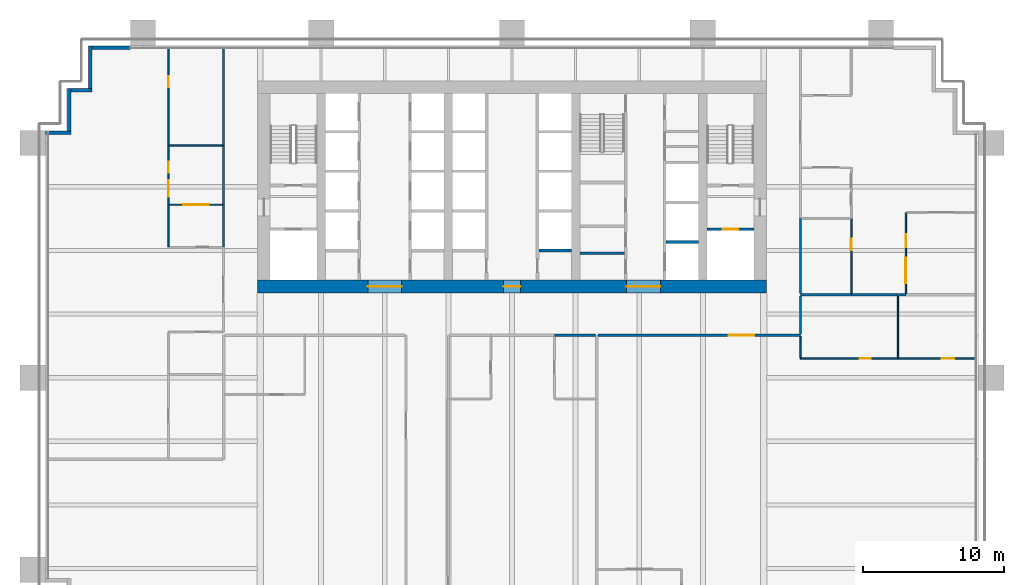
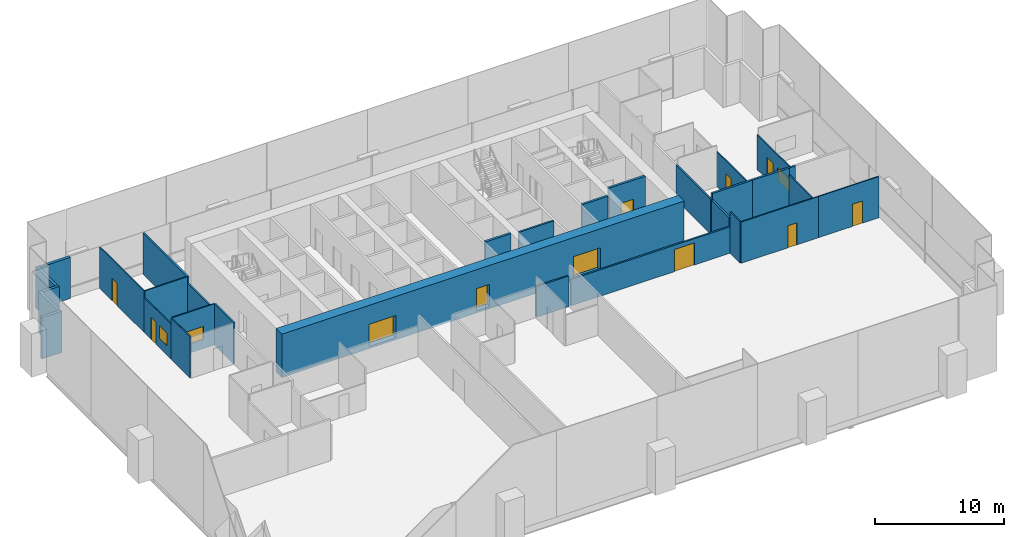
# One storey, part 12 of 17: 31 walls, 11 doors, 3 windows, 14 openings.
"""IFC4 building model written with IfcOpenShell, lengths in metres."""

from ifc_helpers import new_model, si_unit, direction, frame, frame_2d, origin, place, context, subcontext, project, spatial, rectangle, extrude, material, layer, layer_set, type_object, element, fill, save


model = new_model("IFC4")

# Units and contexts
model_context = context("Model", 3, precision=1e-05, world=origin(), true_north=direction((0.0, 1.0)))
body_context = subcontext(model_context, "Body", "Model", "MODEL_VIEW")
ifc_project = project(units=[si_unit("LENGTHUNIT", "METRE"), si_unit("AREAUNIT", "SQUARE_METRE"), si_unit("VOLUMEUNIT", "CUBIC_METRE"), si_unit("PLANEANGLEUNIT", "RADIAN"), si_unit("MASSUNIT", "GRAM", prefix="KILO")], contexts=[model_context])

# Site, building, storey
site_placement = place(None, origin())
site = spatial("IfcSite", under=ifc_project, at=site_placement, CompositionType="ELEMENT")
building_placement = place(site_placement, origin())
building = spatial("IfcBuilding", under=site, at=building_placement, Name="Rattan Terrace Tower", CompositionType="ELEMENT")
storey_placement = place(building_placement, frame((0.0, 0.0, 44.699951171875)))
storey = spatial("IfcBuildingStorey", under=building, at=storey_placement, Name="L09", CompositionType="ELEMENT", Elevation=44.699951171875)

# Wall
ifc_material_1 = material(Name="Gypsum board partition")
ifc_layer_1 = layer(ifc_material_1, 0.14990234375)
ifc_layer_set_1 = layer_set([ifc_layer_1], Name="Core partition 150")
wall_type_1 = type_object("IfcWallType", Name="Core partition 150", PredefinedType="PARTITIONING", material=ifc_layer_set_1)
wall_1_placement = place(storey_placement, frame((4.800048828125, -4.696044921875, 0.0), z_axis=(0.0, 0.0, 1.0), x_axis=(1.0, 0.0, 0.0)))
element("IfcWall", 1, at=wall_1_placement, inside=storey, type_object=wall_type_1, Name="Toilet wall", PredefinedType="PARTITIONING", context=body_context, shape_type="SweptSolid", body=[
    extrude(rectangle(XDim=3.14990234375, YDim=0.14990234375, at=frame_2d((1.574951171875, 0.0))), origin(), (0.0, 0.0, 1.0), 3.900146484375),
])

# Wall, opening, door
ifc_material_2 = material(Name="Gypsum board partition")
ifc_layer_2 = layer(ifc_material_2, 0.199951171875)
ifc_layer_set_2 = layer_set([ifc_layer_2], Name="Core partition 200")
wall_type_2 = type_object("IfcWallType", Name="Core partition 200", PredefinedType="PARTITIONING", material=ifc_layer_set_2)
wall_2_placement = place(storey_placement, frame((13.800048828125, -3.0, 0.0), z_axis=(0.0, 0.0, 1.0), x_axis=(1.0, 0.0, 0.0)))
wall_2 = element("IfcWall", 2, at=wall_2_placement, inside=storey, type_object=wall_type_2, Name="Fire-fighting lobby wall", PredefinedType="PARTITIONING", context=body_context, shape_type="SweptSolid", body=[
    extrude(rectangle(XDim=3.300048828125, YDim=0.199951171875, at=frame_2d((1.64990234375, 0.0))), origin(), (0.0, 0.0, 1.0), 3.900146484375),
])
opening_1_placement = place(wall_2_placement, frame((1.10009765625, 0.0, 0.0)))
opening_1 = element("IfcOpeningElement", 3, at=opening_1_placement, cuts=wall_2, Name="Opening L09-LD-FF2", PredefinedType="OPENING", context=body_context, shape_type="SweptSolid", body=[
    extrude(rectangle(XDim=1.10009765625, YDim=2.10009765625, at=frame_2d((0.550048828125, 1.050048828125))), frame((0.0, 0.110595703125, 0.0), z_axis=(0.0, -1.0, 0.0), x_axis=(1.0, 0.0, 0.0)), (0.0, 0.0, 1.0), 0.220947265625),
])
ifc_material_3 = material(Name="Brushed stainless landing door panel")
door_type_1 = type_object("IfcDoorType", Name="Core lift landing door 1100", OperationType="DOUBLE_DOOR_SLIDING", PredefinedType="DOOR", material=ifc_material_3)
door_1_placement = place(opening_1_placement, origin())
door_1 = element("IfcDoor", 4, at=door_1_placement, inside=storey, type_object=door_type_1, Name="Door L09-LD-FF2", OperationType="DOUBLE_DOOR_SLIDING", OverallHeight=2.10009765625, OverallWidth=1.10009765625, PredefinedType="DOOR", context=body_context, shape_type="SweptSolid", body=[
    extrude(rectangle(XDim=1.10009765625, YDim=2.10009765625, at=frame_2d((0.550048828125, 1.050048828125))), frame((0.0, 0.02490234375, 0.0), z_axis=(0.0, -1.0, 0.0), x_axis=(1.0, 0.0, 0.0)), (0.0, 0.0, 1.0), 0.050048828125),
])
fill(opening_1, door_1)

# Wall, openings, doors
ifc_material_4 = material(Name="Concrete C70/85", Category="concrete")
ifc_layer_3 = layer(ifc_material_4, 0.89990234375)
ifc_layer_set_3 = layer_set([ifc_layer_3], Name="Core ring wall 900 C70/85")
wall_type_3 = type_object("IfcWallType", Name="Core ring wall 900 C70/85", PredefinedType="SHEAR", material=ifc_layer_set_3)
wall_3_placement = place(storey_placement, frame((-18.0, -7.050048828125, -0.199951171875), z_axis=(0.0, 0.0, 1.0), x_axis=(1.0, 0.0, 0.0)))
wall_3 = element("IfcWall", 5, at=wall_3_placement, inside=storey, type_object=wall_type_3, Name="Rear core wall south", PredefinedType="SHEAR", context=body_context, shape_type="SweptSolid", body=[
    extrude(rectangle(XDim=36.0, YDim=0.89990234375, at=frame_2d((18.0, 0.0))), origin(), (0.0, 0.0, 1.0), 4.10009765625),
])
opening_2_placement = place(wall_3_placement, frame((7.800048828125, 0.0, 0.199951171875)))
opening_2 = element("IfcOpeningElement", 6, at=opening_2_placement, cuts=wall_3, Name="Opening L09-D007", PredefinedType="OPENING", context=body_context, shape_type="SweptSolid", body=[
    extrude(rectangle(XDim=2.39990234375, YDim=2.10009765625, at=frame_2d((1.199951171875, 1.050048828125))), frame((0.0, 0.46044921875, 0.0), z_axis=(0.0, -1.0, 0.0), x_axis=(1.0, 0.0, 0.0)), (0.0, 0.0, 1.0), 0.9208984375),
])
opening_3_placement = place(wall_3_placement, frame((17.39990234375, 0.0, 0.199951171875)))
opening_3 = element("IfcOpeningElement", 7, at=opening_3_placement, cuts=wall_3, Name="Opening L09-D010", PredefinedType="OPENING", context=body_context, shape_type="SweptSolid", body=[
    extrude(rectangle(XDim=1.199951171875, YDim=2.10009765625, at=frame_2d((0.60009765625, 1.050048828125))), frame((0.0, 0.46044921875, 0.0), z_axis=(0.0, -1.0, 0.0), x_axis=(1.0, 0.0, 0.0)), (0.0, 0.0, 1.0), 0.9208984375),
])
opening_4_placement = place(wall_3_placement, frame((26.10009765625, 0.0, 0.199951171875)))
opening_4 = element("IfcOpeningElement", 8, at=opening_4_placement, cuts=wall_3, Name="Opening L09-D015", PredefinedType="OPENING", context=body_context, shape_type="SweptSolid", body=[
    extrude(rectangle(XDim=2.39990234375, YDim=2.10009765625, at=frame_2d((1.199951171875, 1.050048828125))), frame((0.0, 0.46044921875, 0.0), z_axis=(0.0, -1.0, 0.0), x_axis=(1.0, 0.0, 0.0)), (0.0, 0.0, 1.0), 0.9208984375),
])
ifc_material_5 = material(Name="Hollow-metal fire door leaf")
door_type_2 = type_object("IfcDoorType", Name="Core lift lobby door 2400", OperationType="NOTDEFINED", PredefinedType="DOOR", material=ifc_material_5)
door_2_placement = place(opening_2_placement, origin())
door_2 = element("IfcDoor", 9, at=door_2_placement, inside=storey, type_object=door_type_2, Name="Door L09-D007", OperationType="DOUBLE_DOOR_DOUBLE_SWING", OverallHeight=2.10009765625, OverallWidth=2.39990234375, PredefinedType="DOOR", context=body_context, shape_type="SweptSolid", body=[
    extrude(rectangle(XDim=2.39990234375, YDim=2.10009765625, at=frame_2d((1.199951171875, 1.050048828125))), frame((0.0, 0.02490234375, 0.0), z_axis=(0.0, -1.0, 0.0), x_axis=(1.0, 0.0, 0.0)), (0.0, 0.0, 1.0), 0.050048828125),
])
fill(opening_2, door_2)
door_3_placement = place(opening_4_placement, origin())
door_3 = element("IfcDoor", 10, at=door_3_placement, inside=storey, type_object=door_type_2, Name="Door L09-D015", OperationType="DOUBLE_DOOR_DOUBLE_SWING", OverallHeight=2.10009765625, OverallWidth=2.39990234375, PredefinedType="DOOR", context=body_context, shape_type="SweptSolid", body=[
    extrude(rectangle(XDim=2.39990234375, YDim=2.10009765625, at=frame_2d((1.199951171875, 1.050048828125))), frame((0.0, 0.02490234375, 0.0), z_axis=(0.0, -1.0, 0.0), x_axis=(1.0, 0.0, 0.0)), (0.0, 0.0, 1.0), 0.050048828125),
])
fill(opening_4, door_3)
ifc_material_6 = material(Name="Hollow-metal fire door leaf")
door_type_3 = type_object("IfcDoorType", Name="Core riser door 1200", OperationType="NOTDEFINED", PredefinedType="DOOR", material=ifc_material_6)
door_4_placement = place(opening_3_placement, origin())
door_4 = element("IfcDoor", 11, at=door_4_placement, inside=storey, type_object=door_type_3, Name="Door L09-D010", OperationType="SINGLE_SWING_LEFT", OverallHeight=2.10009765625, OverallWidth=1.199951171875, PredefinedType="DOOR", context=body_context, shape_type="SweptSolid", body=[
    extrude(rectangle(XDim=1.199951171875, YDim=2.10009765625, at=frame_2d((0.60009765625, 1.050048828125))), frame((0.0, 0.02490234375, 0.0), z_axis=(0.0, -1.0, 0.0), x_axis=(1.0, 0.0, 0.0)), (0.0, 0.0, 1.0), 0.050048828125),
])
fill(opening_3, door_4)

# Walls
ifc_material_7 = material(Name="Insulated aluminium-clad stud wall", Category="aluminium")
ifc_layer_4 = layer(ifc_material_7, 0.25)
ifc_layer_set_4 = layer_set([ifc_layer_4], Name="Facade Riser Wall 250")
wall_type_4 = type_object("IfcWallType", Name="Facade Riser Wall 250", PredefinedType="SOLIDWALL", material=ifc_layer_set_4)
wall_4_placement = place(storey_placement, frame((-27.0, 9.830078125, 0.0), z_axis=(0.0, 0.0, 1.0), x_axis=(-1.0, 0.0, 0.0)))
element("IfcWall", 12, at=wall_4_placement, inside=storey, type_object=wall_type_4, Name="Riser wall L09-11", PredefinedType="SOLIDWALL", context=body_context, shape_type="SweptSolid", body=[
    extrude(rectangle(XDim=2.705078125, YDim=0.25, at=frame_2d((1.3525390625, 0.0))), origin(), (0.0, 0.0, 1.0), 3.900146484375),
])
wall_5_placement = place(storey_placement, frame((-29.830078125, 9.955078125, 0.0), z_axis=(0.0, 0.0, 1.0), x_axis=(0.0, -1.0, 0.0)))
element("IfcWall", 13, at=wall_5_placement, inside=storey, type_object=wall_type_4, Name="Riser wall L09-12", PredefinedType="SOLIDWALL", context=body_context, shape_type="SweptSolid", body=[
    extrude(rectangle(XDim=3.0, YDim=0.25, at=frame_2d((1.5, 0.0))), origin(), (0.0, 0.0, 1.0), 3.900146484375),
])
wall_6_placement = place(storey_placement, frame((-29.705078125, 6.830078125, 0.0), z_axis=(0.0, 0.0, 1.0), x_axis=(-1.0, 0.0, 0.0)))
element("IfcWall", 14, at=wall_6_placement, inside=storey, type_object=wall_type_4, Name="Riser wall L09-13", PredefinedType="SOLIDWALL", context=body_context, shape_type="SweptSolid", body=[
    extrude(rectangle(XDim=1.5, YDim=0.25, at=frame_2d((0.75, 0.0))), origin(), (0.0, 0.0, 1.0), 3.900146484375),
])
wall_7_placement = place(storey_placement, frame((-31.330078125, 6.955078125, 0.0), z_axis=(0.0, 0.0, 1.0), x_axis=(0.0, -1.0, 0.0)))
element("IfcWall", 15, at=wall_7_placement, inside=storey, type_object=wall_type_4, Name="Riser wall L09-14", PredefinedType="SOLIDWALL", context=body_context, shape_type="SweptSolid", body=[
    extrude(rectangle(XDim=3.0, YDim=0.25, at=frame_2d((1.5, 0.0))), origin(), (0.0, 0.0, 1.0), 3.900146484375),
])
wall_8_placement = place(storey_placement, frame((-31.205078125, 3.830078125, 0.0), z_axis=(0.0, 0.0, 1.0), x_axis=(-1.0, 0.0, 0.0)))
element("IfcWall", 16, at=wall_8_placement, inside=storey, type_object=wall_type_4, Name="Riser wall L09-15", PredefinedType="SOLIDWALL", context=body_context, shape_type="SweptSolid", body=[
    extrude(rectangle(XDim=1.7998046875, YDim=0.25, at=frame_2d((0.89990234375, 0.0))), origin(), (0.0, 0.0, 1.0), 3.900146484375),
])
ifc_material_8 = material(Name="Double steel stud acoustic partition, gypsum board, mineral wool, fire rated", Category="steel")
ifc_layer_5 = layer(ifc_material_8, 0.179931640625)
ifc_layer_set_5 = layer_set([ifc_layer_5], Name="Floors Acoustic Party Wall 180")
wall_type_5 = type_object("IfcWallType", Name="Floors Acoustic Party Wall 180", PredefinedType="PARTITIONING", material=ifc_layer_set_5)
wall_9_placement = place(storey_placement, frame((27.320068359375, -7.635986328125, 0.0), z_axis=(0.0, 0.0, 1.0), x_axis=(-1.0, 0.0, 0.0)))
element("IfcWall", 17, at=wall_9_placement, inside=storey, type_object=wall_type_5, Name="pt-L09-041", PredefinedType="PARTITIONING", context=body_context, shape_type="SweptSolid", body=[
    extrude(rectangle(XDim=3.320068359375, YDim=0.179931640625, at=frame_2d((1.66015625, 0.0))), origin(), (0.0, 0.0, 1.0), 3.900146484375),
])
wall_10_placement = place(storey_placement, frame((27.860107421875, -7.635986328125, 0.0), z_axis=(0.0, 0.0, 1.0), x_axis=(-1.0, 0.0, 0.0)))
element("IfcWall", 18, at=wall_10_placement, inside=storey, type_object=wall_type_5, Name="pt-L09-042", PredefinedType="PARTITIONING", context=body_context, shape_type="SweptSolid", body=[
    extrude(rectangle(XDim=0.5400390625, YDim=0.179931640625, at=frame_2d((0.27001953125, 0.0))), origin(), (0.0, 0.0, 1.0), 3.900146484375),
])
wall_11_placement = place(storey_placement, frame((24.0, -7.635986328125, 0.0), z_axis=(0.0, 0.0, 1.0), x_axis=(-1.0, 0.0, 0.0)))
element("IfcWall", 19, at=wall_11_placement, inside=storey, type_object=wall_type_5, Name="pt-L09-045", PredefinedType="PARTITIONING", context=body_context, shape_type="SweptSolid", body=[
    extrude(rectangle(XDim=3.60009765625, YDim=0.179931640625, at=frame_2d((1.800048828125, 0.0))), origin(), (0.0, 0.0, 1.0), 3.900146484375),
])
ifc_material_9 = material(Name="Gypsum board partition on steel studs", Category="steel")
ifc_layer_6 = layer(ifc_material_9, 0.10009765625)
ifc_layer_set_6 = layer_set([ifc_layer_6], Name="Floors Partition 100")
wall_type_6 = type_object("IfcWallType", Name="Floors Partition 100", PredefinedType="PARTITIONING", material=ifc_layer_set_6)
wall_12_placement = place(storey_placement, frame((-24.300048828125, -1.29296875, 0.0), z_axis=(0.0, 0.0, 1.0), x_axis=(0.0, -1.0, 0.0)))
element("IfcWall", 20, at=wall_12_placement, inside=storey, type_object=wall_type_6, Name="pt-L09-022", PredefinedType="PARTITIONING", context=body_context, shape_type="SweptSolid", body=[
    extrude(rectangle(XDim=2.929931640625, YDim=0.10009765625, at=frame_2d((1.46484375, 0.0))), origin(), (0.0, 0.0, 1.0), 3.900146484375),
])

# Wall, openings, door, window
wall_13_placement = place(storey_placement, frame((-24.300048828125, 2.906982421875, 0.0), z_axis=(0.0, 0.0, 1.0), x_axis=(0.0, -1.0, 0.0)))
wall_13 = element("IfcWall", 21, at=wall_13_placement, inside=storey, type_object=wall_type_6, Name="pt-L09-024", PredefinedType="PARTITIONING", context=body_context, shape_type="SweptSolid", body=[
    extrude(rectangle(XDim=4.199951171875, YDim=0.10009765625, at=frame_2d((2.10009765625, 0.0))), origin(), (0.0, 0.0, 1.0), 3.300048828125),
])
opening_5_placement = place(wall_13_placement, frame((1.1201171875, 0.0, 0.0)))
opening_5 = element("IfcOpeningElement", 22, at=opening_5_placement, cuts=wall_13, Name="Opening L09-D104", PredefinedType="OPENING", context=body_context, shape_type="SweptSolid", body=[
    extrude(rectangle(XDim=0.800048828125, YDim=2.10009765625, at=frame_2d((0.39990234375, 1.050048828125))), frame((0.0, 0.060546875, 0.0), z_axis=(0.0, -1.0, 0.0), x_axis=(1.0, 0.0, 0.0)), (0.0, 0.0, 1.0), 0.12109375),
])
opening_6_placement = place(wall_13_placement, frame((2.425048828125, 0.0, 0.89990234375)))
opening_6 = element("IfcOpeningElement", 23, at=opening_6_placement, cuts=wall_13, Name="Opening L09-W100", PredefinedType="OPENING", context=body_context, shape_type="SweptSolid", body=[
    extrude(rectangle(XDim=1.199951171875, YDim=1.199951171875, at=frame_2d((0.60009765625, 0.60009765625))), frame((0.0, 0.060546875, 0.0), z_axis=(0.0, -1.0, 0.0), x_axis=(1.0, 0.0, 0.0)), (0.0, 0.0, 1.0), 0.12109375),
])
ifc_material_10 = material(Name="Solid core timber door, painted", Category="wood")
door_type_4 = type_object("IfcDoorType", Name="Floors Store Door 800x2100", OperationType="NOTDEFINED", PredefinedType="DOOR", material=ifc_material_10)
door_5_placement = place(opening_5_placement, origin())
door_5 = element("IfcDoor", 24, at=door_5_placement, inside=storey, type_object=door_type_4, Name="d-L09-104", OperationType="SINGLE_SWING_LEFT", OverallHeight=2.10009765625, OverallWidth=0.800048828125, PredefinedType="DOOR", context=body_context, shape_type="SweptSolid", body=[
    extrude(rectangle(XDim=0.800048828125, YDim=2.10009765625, at=frame_2d((0.39990234375, 1.050048828125))), frame((0.0, 0.02490234375, 0.0), z_axis=(0.0, -1.0, 0.0), x_axis=(1.0, 0.0, 0.0)), (0.0, 0.0, 1.0), 0.050048828125),
])
fill(opening_5, door_5)
ifc_material_11 = material(Name="Glass, clear, fixed in aluminium frame", Category="aluminium")
window_type_1 = type_object("IfcWindowType", Name="Interior Vision Window 1200x1200", PartitioningType="SINGLE_PANEL", PredefinedType="WINDOW", material=ifc_material_11)
window_1_placement = place(opening_6_placement, origin())
window_1 = element("IfcWindow", 25, at=window_1_placement, inside=storey, type_object=window_type_1, Name="w-L09-100", OverallHeight=1.199951171875, OverallWidth=1.199951171875, PartitioningType="SINGLE_PANEL", PredefinedType="WINDOW", context=body_context, shape_type="SweptSolid", body=[
    extrude(rectangle(XDim=1.199951171875, YDim=1.199951171875, at=frame_2d((0.60009765625, 0.60009765625))), frame((0.0, 0.030029296875, 0.0), z_axis=(0.0, -1.0, 0.0), x_axis=(1.0, 0.0, 0.0)), (0.0, 0.0, 1.0), 0.06005859375),
])
fill(opening_6, window_1)

# Wall, opening, door
wall_14_placement = place(storey_placement, frame((-24.300048828125, 9.739990234375, 0.0), z_axis=(0.0, 0.0, 1.0), x_axis=(0.0, -1.0, 0.0)))
wall_14 = element("IfcWall", 26, at=wall_14_placement, inside=storey, type_object=wall_type_6, Name="pt-L09-025", PredefinedType="PARTITIONING", context=body_context, shape_type="SweptSolid", body=[
    extrude(rectangle(XDim=6.8330078125, YDim=0.10009765625, at=frame_2d((3.41650390625, 0.0))), origin(), (0.0, 0.0, 1.0), 3.900146484375),
])
opening_7_placement = place(wall_14_placement, frame((1.909912109375, 0.0, 0.0)))
opening_7 = element("IfcOpeningElement", 27, at=opening_7_placement, cuts=wall_14, Name="Opening L09-D105", PredefinedType="OPENING", context=body_context, shape_type="SweptSolid", body=[
    extrude(rectangle(XDim=0.800048828125, YDim=2.10009765625, at=frame_2d((0.39990234375, 1.050048828125))), frame((0.0, 0.060546875, 0.0), z_axis=(0.0, -1.0, 0.0), x_axis=(1.0, 0.0, 0.0)), (0.0, 0.0, 1.0), 0.12109375),
])
door_6_placement = place(opening_7_placement, origin())
door_6 = element("IfcDoor", 28, at=door_6_placement, inside=storey, type_object=door_type_4, Name="d-L09-105", OperationType="SINGLE_SWING_LEFT", OverallHeight=2.10009765625, OverallWidth=0.800048828125, PredefinedType="DOOR", context=body_context, shape_type="SweptSolid", body=[
    extrude(rectangle(XDim=0.800048828125, YDim=2.10009765625, at=frame_2d((0.39990234375, 1.050048828125))), frame((0.0, 0.02490234375, 0.0), z_axis=(0.0, -1.0, 0.0), x_axis=(1.0, 0.0, 0.0)), (0.0, 0.0, 1.0), 0.050048828125),
])
fill(opening_7, door_6)

# Wall, opening, window
wall_15_placement = place(storey_placement, frame((-24.25, -1.27294921875, 0.0), z_axis=(0.0, 0.0, 1.0), x_axis=(1.0, 0.0, 0.0)))
wall_15 = element("IfcWall", 29, at=wall_15_placement, inside=storey, type_object=wall_type_6, Name="pt-L09-032", PredefinedType="PARTITIONING", context=body_context, shape_type="SweptSolid", body=[
    extrude(rectangle(XDim=3.77490234375, YDim=0.10009765625, at=frame_2d((1.887451171875, 0.0))), origin(), (0.0, 0.0, 1.0), 3.900146484375),
])
opening_8_placement = place(wall_15_placement, frame((0.987060546875, 0.0, 0.89990234375)))
opening_8 = element("IfcOpeningElement", 30, at=opening_8_placement, cuts=wall_15, Name="Opening L09-W101", PredefinedType="OPENING", context=body_context, shape_type="SweptSolid", body=[
    extrude(rectangle(XDim=1.800048828125, YDim=1.199951171875, at=frame_2d((0.89990234375, 0.60009765625))), frame((0.0, 0.060546875, 0.0), z_axis=(0.0, -1.0, 0.0), x_axis=(1.0, 0.0, 0.0)), (0.0, 0.0, 1.0), 0.12109375),
])
ifc_material_12 = material(Name="Glass, clear, fixed in aluminium frame", Category="aluminium")
window_type_2 = type_object("IfcWindowType", Name="Interior Vision Window 1800x1200", PartitioningType="SINGLE_PANEL", PredefinedType="WINDOW", material=ifc_material_12)
window_2_placement = place(opening_8_placement, origin())
window_2 = element("IfcWindow", 31, at=window_2_placement, inside=storey, type_object=window_type_2, Name="w-L09-101", OverallHeight=1.199951171875, OverallWidth=1.800048828125, PartitioningType="SINGLE_PANEL", PredefinedType="WINDOW", context=body_context, shape_type="SweptSolid", body=[
    extrude(rectangle(XDim=1.800048828125, YDim=1.199951171875, at=frame_2d((0.89990234375, 0.60009765625))), frame((0.0, 0.030029296875, 0.0), z_axis=(0.0, -1.0, 0.0), x_axis=(1.0, 0.0, 0.0)), (0.0, 0.0, 1.0), 0.06005859375),
])
fill(opening_8, window_2)

# Wall
wall_16_placement = place(storey_placement, frame((-24.25, 2.927001953125, 0.0), z_axis=(0.0, 0.0, 1.0), x_axis=(1.0, 0.0, 0.0)))
element("IfcWall", 32, at=wall_16_placement, inside=storey, type_object=wall_type_6, Name="pt-L09-033", PredefinedType="PARTITIONING", context=body_context, shape_type="SweptSolid", body=[
    extrude(rectangle(XDim=3.77490234375, YDim=0.10009765625, at=frame_2d((1.887451171875, 0.0))), origin(), (0.0, 0.0, 1.0), 3.900146484375),
])

# Wall, openings, door, window
wall_17_placement = place(storey_placement, frame((27.860107421875, -1.818115234375, 0.0), z_axis=(0.0, 0.0, 1.0), x_axis=(0.0, -1.0, 0.0)))
wall_17 = element("IfcWall", 33, at=wall_17_placement, inside=storey, type_object=wall_type_6, Name="pt-L09-034", PredefinedType="PARTITIONING", context=body_context, shape_type="SweptSolid", body=[
    extrude(rectangle(XDim=5.727783203125, YDim=0.10009765625, at=frame_2d((2.86376953125, 0.0))), origin(), (0.0, 0.0, 1.0), 3.300048828125),
])
opening_9_placement = place(wall_17_placement, frame((1.548095703125, 0.0, 0.0)))
opening_9 = element("IfcOpeningElement", 34, at=opening_9_placement, cuts=wall_17, Name="Opening L09-D107", PredefinedType="OPENING", context=body_context, shape_type="SweptSolid", body=[
    extrude(rectangle(XDim=0.89990234375, YDim=2.10009765625, at=frame_2d((0.449951171875, 1.050048828125))), frame((0.0, 0.060546875, 0.0), z_axis=(0.0, -1.0, 0.0), x_axis=(1.0, 0.0, 0.0)), (0.0, 0.0, 1.0), 0.12109375),
])
opening_10_placement = place(wall_17_placement, frame((3.18798828125, 0.0, 0.89990234375)))
opening_10 = element("IfcOpeningElement", 35, at=opening_10_placement, cuts=wall_17, Name="Opening L09-W102", PredefinedType="OPENING", context=body_context, shape_type="SweptSolid", body=[
    extrude(rectangle(XDim=1.800048828125, YDim=1.199951171875, at=frame_2d((0.89990234375, 0.60009765625))), frame((0.0, 0.060546875, 0.0), z_axis=(0.0, -1.0, 0.0), x_axis=(1.0, 0.0, 0.0)), (0.0, 0.0, 1.0), 0.12109375),
])
ifc_material_13 = material(Name="Solid core timber door, painted", Category="wood")
door_type_5 = type_object("IfcDoorType", Name="Floors Door 900x2100", OperationType="NOTDEFINED", PredefinedType="DOOR", material=ifc_material_13)
door_7_placement = place(opening_9_placement, origin())
door_7 = element("IfcDoor", 36, at=door_7_placement, inside=storey, type_object=door_type_5, Name="d-L09-107", OperationType="SINGLE_SWING_LEFT", OverallHeight=2.10009765625, OverallWidth=0.89990234375, PredefinedType="DOOR", context=body_context, shape_type="SweptSolid", body=[
    extrude(rectangle(XDim=0.89990234375, YDim=2.10009765625, at=frame_2d((0.449951171875, 1.050048828125))), frame((0.0, 0.02490234375, 0.0), z_axis=(0.0, -1.0, 0.0), x_axis=(1.0, 0.0, 0.0)), (0.0, 0.0, 1.0), 0.050048828125),
])
fill(opening_9, door_7)
window_3_placement = place(opening_10_placement, origin())
window_3 = element("IfcWindow", 37, at=window_3_placement, inside=storey, type_object=window_type_2, Name="w-L09-102", OverallHeight=1.199951171875, OverallWidth=1.800048828125, PartitioningType="SINGLE_PANEL", PredefinedType="WINDOW", context=body_context, shape_type="SweptSolid", body=[
    extrude(rectangle(XDim=1.800048828125, YDim=1.199951171875, at=frame_2d((0.89990234375, 0.60009765625))), frame((0.0, 0.030029296875, 0.0), z_axis=(0.0, -1.0, 0.0), x_axis=(1.0, 0.0, 0.0)), (0.0, 0.0, 1.0), 0.06005859375),
])
fill(opening_10, window_3)

# Wall, opening, door
wall_18_placement = place(storey_placement, frame((24.0, -7.5458984375, 0.0), z_axis=(0.0, 0.0, 1.0), x_axis=(0.0, 1.0, 0.0)))
wall_18 = element("IfcWall", 38, at=wall_18_placement, inside=storey, type_object=wall_type_6, Name="pt-L09-036", PredefinedType="PARTITIONING", context=body_context, shape_type="SweptSolid", body=[
    extrude(rectangle(XDim=5.329833984375, YDim=0.10009765625, at=frame_2d((2.6650390625, 0.0))), origin(), (0.0, 0.0, 1.0), 3.300048828125),
])
opening_11_placement = place(wall_18_placement, frame((3.071044921875, 0.0, 0.0)))
opening_11 = element("IfcOpeningElement", 39, at=opening_11_placement, cuts=wall_18, Name="Opening L09-D108", PredefinedType="OPENING", context=body_context, shape_type="SweptSolid", body=[
    extrude(rectangle(XDim=0.800048828125, YDim=2.10009765625, at=frame_2d((0.39990234375, 1.050048828125))), frame((0.0, 0.060546875, 0.0), z_axis=(0.0, -1.0, 0.0), x_axis=(1.0, 0.0, 0.0)), (0.0, 0.0, 1.0), 0.12109375),
])
door_8_placement = place(opening_11_placement, origin())
door_8 = element("IfcDoor", 40, at=door_8_placement, inside=storey, type_object=door_type_4, Name="d-L09-108", OperationType="SINGLE_SWING_RIGHT", OverallHeight=2.10009765625, OverallWidth=0.800048828125, PredefinedType="DOOR", context=body_context, shape_type="SweptSolid", body=[
    extrude(rectangle(XDim=0.800048828125, YDim=2.10009765625, at=frame_2d((0.39990234375, 1.050048828125))), frame((0.0, 0.02490234375, 0.0), z_axis=(0.0, -1.0, 0.0), x_axis=(1.0, 0.0, 0.0)), (0.0, 0.0, 1.0), 0.050048828125),
])
fill(opening_11, door_8)

wall_19_placement = place(storey_placement, frame((20.39990234375, -12.135986328125, 0.0), z_axis=(0.0, 0.0, 1.0), x_axis=(1.0, 0.0, 0.0)))
wall_19 = element("IfcWall", 41, at=wall_19_placement, inside=storey, type_object=wall_type_6, Name="pt-L09-057", PredefinedType="PARTITIONING", context=body_context, shape_type="SweptSolid", body=[
    extrude(rectangle(XDim=6.920166015625, YDim=0.10009765625, at=frame_2d((3.4599609375, 0.0))), origin(), (0.0, 0.0, 1.0), 3.900146484375),
])
opening_12_placement = place(wall_19_placement, frame((4.18408203125, 0.0, 0.0)))
opening_12 = element("IfcOpeningElement", 42, at=opening_12_placement, cuts=wall_19, Name="Opening L09-D118", PredefinedType="OPENING", context=body_context, shape_type="SweptSolid", body=[
    extrude(rectangle(XDim=0.800048828125, YDim=2.10009765625, at=frame_2d((0.39990234375, 1.050048828125))), frame((0.0, 0.060546875, 0.0), z_axis=(0.0, -1.0, 0.0), x_axis=(1.0, 0.0, 0.0)), (0.0, 0.0, 1.0), 0.12109375),
])
door_9_placement = place(opening_12_placement, origin())
door_9 = element("IfcDoor", 43, at=door_9_placement, inside=storey, type_object=door_type_4, Name="d-L09-118", OperationType="SINGLE_SWING_RIGHT", OverallHeight=2.10009765625, OverallWidth=0.800048828125, PredefinedType="DOOR", context=body_context, shape_type="SweptSolid", body=[
    extrude(rectangle(XDim=0.800048828125, YDim=2.10009765625, at=frame_2d((0.39990234375, 1.050048828125))), frame((0.0, 0.02490234375, 0.0), z_axis=(0.0, -1.0, 0.0), x_axis=(1.0, 0.0, 0.0)), (0.0, 0.0, 1.0), 0.050048828125),
])
fill(opening_12, door_9)

# Wall
wall_20_placement = place(storey_placement, frame((20.39990234375, -10.574951171875, 0.0), z_axis=(0.0, 0.0, 1.0), x_axis=(0.0, -1.0, 0.0)))
element("IfcWall", 44, at=wall_20_placement, inside=storey, type_object=wall_type_6, Name="pt-L09-058", PredefinedType="PARTITIONING", context=body_context, shape_type="SweptSolid", body=[
    extrude(rectangle(XDim=1.510986328125, YDim=0.10009765625, at=frame_2d((0.75537109375, 0.0))), origin(), (0.0, 0.0, 1.0), 3.900146484375),
])

# Wall, opening, door
wall_21_placement = place(storey_placement, frame((27.320068359375, -12.135986328125, 0.0), z_axis=(0.0, 0.0, 1.0), x_axis=(1.0, 0.0, 0.0)))
wall_21 = element("IfcWall", 45, at=wall_21_placement, inside=storey, type_object=wall_type_6, Name="pt-L09-059", PredefinedType="PARTITIONING", context=body_context, shape_type="SweptSolid", body=[
    extrude(rectangle(XDim=5.419921875, YDim=0.10009765625, at=frame_2d((2.7099609375, 0.0))), origin(), (0.0, 0.0, 1.0), 3.900146484375),
])
opening_13_placement = place(wall_21_placement, frame((3.06396484375, 0.0, 0.0)))
opening_13 = element("IfcOpeningElement", 46, at=opening_13_placement, cuts=wall_21, Name="Opening L09-D119", PredefinedType="OPENING", context=body_context, shape_type="SweptSolid", body=[
    extrude(rectangle(XDim=0.89990234375, YDim=2.10009765625, at=frame_2d((0.449951171875, 1.050048828125))), frame((0.0, 0.060546875, 0.0), z_axis=(0.0, -1.0, 0.0), x_axis=(1.0, 0.0, 0.0)), (0.0, 0.0, 1.0), 0.12109375),
])
door_10_placement = place(opening_13_placement, origin())
door_10 = element("IfcDoor", 47, at=door_10_placement, inside=storey, type_object=door_type_5, Name="d-L09-119", OperationType="SINGLE_SWING_RIGHT", OverallHeight=2.10009765625, OverallWidth=0.89990234375, PredefinedType="DOOR", context=body_context, shape_type="SweptSolid", body=[
    extrude(rectangle(XDim=0.89990234375, YDim=2.10009765625, at=frame_2d((0.449951171875, 1.050048828125))), frame((0.0, 0.02490234375, 0.0), z_axis=(0.0, -1.0, 0.0), x_axis=(1.0, 0.0, 0.0)), (0.0, 0.0, 1.0), 0.050048828125),
])
fill(opening_13, door_10)

# Walls
wall_22_placement = place(storey_placement, frame((27.300048828125, -7.72607421875, 0.0), z_axis=(0.0, 0.0, 1.0), x_axis=(0.0, -1.0, 0.0)))
element("IfcWall", 48, at=wall_22_placement, inside=storey, type_object=wall_type_6, Name="pt-L09-060", PredefinedType="PARTITIONING", context=body_context, shape_type="SweptSolid", body=[
    extrude(rectangle(XDim=4.35986328125, YDim=0.10009765625, at=frame_2d((2.179931640625, 0.0))), origin(), (0.0, 0.0, 1.0), 3.300048828125),
])
ifc_material_14 = material(Name="Gypsum board partition on steel studs, fire rated", Category="steel")
ifc_layer_7 = layer(ifc_material_14, 0.14990234375)
ifc_layer_set_7 = layer_set([ifc_layer_7], Name="Floors Tenancy Wall 150")
wall_type_7 = type_object("IfcWallType", Name="Floors Tenancy Wall 150", PredefinedType="PARTITIONING", material=ifc_layer_set_7)
wall_23_placement = place(storey_placement, frame((-20.39990234375, -4.2529296875, 0.0), z_axis=(0.0, 0.0, 1.0), x_axis=(0.0, 1.0, 0.0)))
element("IfcWall", 49, at=wall_23_placement, inside=storey, type_object=wall_type_7, Name="pt-L09-002", PredefinedType="PARTITIONING", context=body_context, shape_type="SweptSolid", body=[
    extrude(rectangle(XDim=2.9599609375, YDim=0.14990234375, at=frame_2d((1.47998046875, 0.0))), origin(), (0.0, 0.0, 1.0), 3.900146484375),
])
wall_24_placement = place(storey_placement, frame((-20.39990234375, -1.29296875, 0.0), z_axis=(0.0, 0.0, 1.0), x_axis=(0.0, 1.0, 0.0)))
element("IfcWall", 50, at=wall_24_placement, inside=storey, type_object=wall_type_7, Name="pt-L09-003", PredefinedType="PARTITIONING", context=body_context, shape_type="SweptSolid", body=[
    extrude(rectangle(XDim=4.199951171875, YDim=0.14990234375, at=frame_2d((2.10009765625, 0.0))), origin(), (0.0, 0.0, 1.0), 3.300048828125),
])
wall_25_placement = place(storey_placement, frame((-20.39990234375, 2.906982421875, 0.0), z_axis=(0.0, 0.0, 1.0), x_axis=(0.0, 1.0, 0.0)))
element("IfcWall", 51, at=wall_25_placement, inside=storey, type_object=wall_type_7, Name="pt-L09-004", PredefinedType="PARTITIONING", context=body_context, shape_type="SweptSolid", body=[
    extrude(rectangle(XDim=6.8330078125, YDim=0.14990234375, at=frame_2d((3.41650390625, 0.0))), origin(), (0.0, 0.0, 1.0), 3.900146484375),
])
wall_26_placement = place(storey_placement, frame((20.39990234375, -2.216064453125, 0.0), z_axis=(0.0, 0.0, 1.0), x_axis=(0.0, -1.0, 0.0)))
element("IfcWall", 52, at=wall_26_placement, inside=storey, type_object=wall_type_7, Name="pt-L09-006", PredefinedType="PARTITIONING", context=body_context, shape_type="SweptSolid", body=[
    extrude(rectangle(XDim=5.329833984375, YDim=0.14990234375, at=frame_2d((2.6650390625, 0.0))), origin(), (0.0, 0.0, 1.0), 3.300048828125),
])
wall_27_placement = place(storey_placement, frame((5.909912109375, -10.5, 0.0), z_axis=(0.0, 0.0, 1.0), x_axis=(-1.0, 0.0, 0.0)))
element("IfcWall", 53, at=wall_27_placement, inside=storey, type_object=wall_type_7, Name="pt-L09-016", PredefinedType="PARTITIONING", context=body_context, shape_type="SweptSolid", body=[
    extrude(rectangle(XDim=2.889892578125, YDim=0.14990234375, at=frame_2d((1.44482421875, 0.0))), origin(), (0.0, 0.0, 1.0), 2.900146484375),
])

# Wall, opening, door
wall_28_placement = place(storey_placement, frame((20.39990234375, -10.5, 0.0), z_axis=(0.0, 0.0, 1.0), x_axis=(-1.0, 0.0, 0.0)))
wall_28 = element("IfcWall", 54, at=wall_28_placement, inside=storey, type_object=wall_type_7, Name="pt-L09-017", PredefinedType="PARTITIONING", context=body_context, shape_type="SweptSolid", body=[
    extrude(rectangle(XDim=14.309814453125, YDim=0.14990234375, at=frame_2d((7.15478515625, 0.0))), origin(), (0.0, 0.0, 1.0), 2.5),
])
opening_14_placement = place(wall_28_placement, frame((3.251953125, 0.0, 0.0)))
opening_14 = element("IfcOpeningElement", 55, at=opening_14_placement, cuts=wall_28, Name="Opening L09-D116", PredefinedType="OPENING", context=body_context, shape_type="SweptSolid", body=[
    extrude(rectangle(XDim=1.800048828125, YDim=2.10009765625, at=frame_2d((0.89990234375, 1.050048828125))), frame((0.0, 0.08544921875, 0.0), z_axis=(0.0, -1.0, 0.0), x_axis=(1.0, 0.0, 0.0)), (0.0, 0.0, 1.0), 0.1708984375),
])
ifc_material_15 = material(Name="Steel fire door set", Category="steel")
door_type_6 = type_object("IfcDoorType", Name="Floors Fire Door Pair FD30S 1800x2100", OperationType="NOTDEFINED", PredefinedType="DOOR", material=ifc_material_15)
door_11_placement = place(opening_14_placement, origin())
door_11 = element("IfcDoor", 56, at=door_11_placement, inside=storey, type_object=door_type_6, Name="d-L09-116", OperationType="DOUBLE_DOOR_SINGLE_SWING", OverallHeight=2.10009765625, OverallWidth=1.800048828125, PredefinedType="DOOR", context=body_context, shape_type="SweptSolid", body=[
    extrude(rectangle(XDim=1.800048828125, YDim=2.10009765625, at=frame_2d((0.89990234375, 1.050048828125))), frame((0.0, 0.02490234375, 0.0), z_axis=(0.0, -1.0, 0.0), x_axis=(1.0, 0.0, 0.0)), (0.0, 0.0, 1.0), 0.050048828125),
])
fill(opening_14, door_11)

# Walls
wall_29_placement = place(storey_placement, frame((20.39990234375, -7.72607421875, 0.0), z_axis=(0.0, 0.0, 1.0), x_axis=(0.0, -1.0, 0.0)))
element("IfcWall", 57, at=wall_29_placement, inside=storey, type_object=wall_type_7, Name="pt-L09-018", PredefinedType="PARTITIONING", context=body_context, shape_type="SweptSolid", body=[
    extrude(rectangle(XDim=2.698974609375, YDim=0.14990234375, at=frame_2d((1.349609375, 0.0))), origin(), (0.0, 0.0, 1.0), 3.300048828125),
])
ifc_material_16 = material(Name="Gypsum shaft wall system")
ifc_layer_8 = layer(ifc_material_16, 0.199951171875)
ifc_layer_set_8 = layer_set([ifc_layer_8], Name="Lift shaft wall 200")
wall_type_8 = type_object("IfcWallType", Name="Lift shaft wall 200", PredefinedType="PARTITIONING", material=ifc_layer_set_8)
for number, where, z_axis, x_axis, name in (
    (58, (1.89990234375, -4.5, 0.0), (0.0, 0.0, 1.0), (1.0, 0.0, 0.0), "Lift shaft wall"),
    (59, (10.89990234375, -3.89990234375, 0.0), (0.0, 0.0, 1.0), (1.0, 0.0, 0.0), "Lift shaft wall"),
):
    element("IfcWall", number, at=place(storey_placement, frame(where, z_axis=z_axis, x_axis=x_axis)), inside=storey, type_object=wall_type_8, Name=name, PredefinedType="PARTITIONING", context=body_context, shape_type="SweptSolid", body=[
        extrude(rectangle(XDim=2.300048828125, YDim=0.199951171875, at=frame_2d((1.14990234375, 0.0))), origin(), (0.0, 0.0, 1.0), 3.900146484375),
    ])

save(model, "model.ifc")
